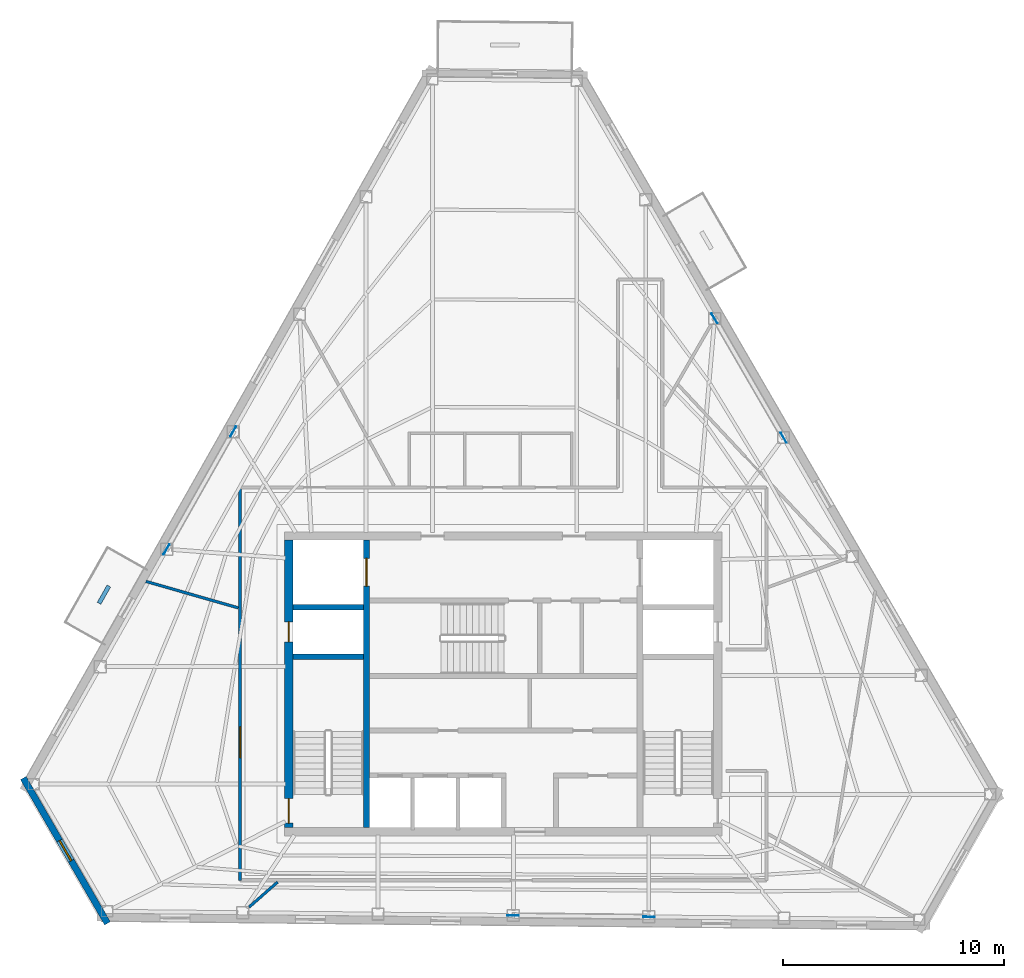
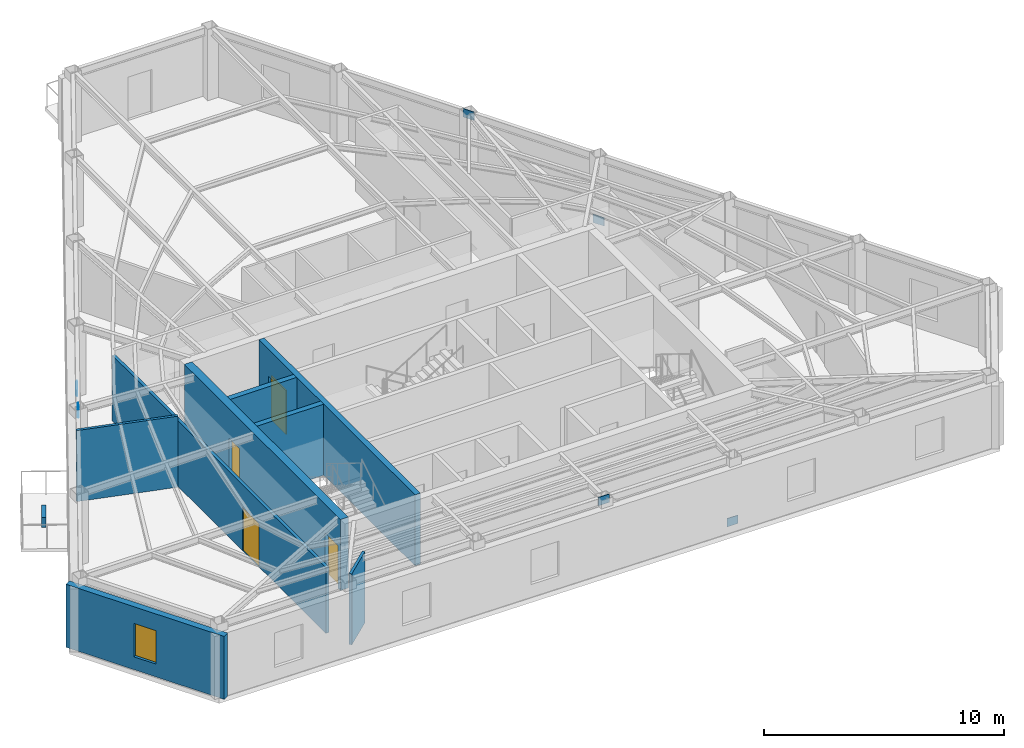
# One storey, part 4 of 10: 9 walls, 6 plates, 4 doors, 1 window, 5 openings.
"""IFC4 building model written with IfcOpenShell, lengths in metres."""

from ifc_helpers import new_model, si_unit, direction, frame, frame_2d, origin, origin_2d, place, context, subcontext, project, spatial, rectangle, extrude, material, layer, layer_set, type_object, element, fill, save


model = new_model("IFC4")

# Units and contexts
model_context = context("Model", 3, precision=1e-05, world=origin(), true_north=direction((0.0, 1.0)))
body_context = subcontext(model_context, "Body", "Model", "MODEL_VIEW")
ifc_project = project(units=[si_unit("LENGTHUNIT", "METRE"), si_unit("AREAUNIT", "SQUARE_METRE"), si_unit("VOLUMEUNIT", "CUBIC_METRE"), si_unit("PLANEANGLEUNIT", "RADIAN"), si_unit("MASSUNIT", "GRAM", prefix="KILO")], contexts=[model_context])

# Site, building, storey
site_placement = place(None, origin())
site = spatial("IfcSite", under=ifc_project, at=site_placement, CompositionType="ELEMENT")
building_placement = place(site_placement, origin())
building = spatial("IfcBuilding", under=site, at=building_placement, Name="Kavelnor Concourse Tower", CompositionType="ELEMENT")
storey_placement = place(building_placement, frame((0.0, 0.0, 247.199951171875)))
storey = spatial("IfcBuildingStorey", under=building, at=storey_placement, Name="L62", CompositionType="ELEMENT", Elevation=247.199951171875)

# Plates
ifc_material_1 = material(Name="Steel Grade 350", Category="steel")
ifc_layer_1 = layer(ifc_material_1, 0.031982421875, Name="Steel Grade 350")
ifc_layer_set_1 = layer_set([ifc_layer_1], Name="Steel Grade 350")
plate_type = type_object("IfcPlateType", Name="PL-GUSSET-TUBE-Z1", PredefinedType="USERDEFINED", material=ifc_layer_set_1)
for number, where, z_axis, x_axis, name in (
    (1, (25.779296875, 27.524658203125, 0.010009765625), (0.0, 0.0, 1.0), (-0.492271646879, -0.870441626808, 0.0), "L62 Tube Brace Gusset GP3 F0-B3 End Gusset A"),
    (2, (22.760009765625, 22.186279296875, 3.197021484375), (0.0, 0.0, 1.0), (-0.492271646879, -0.870441626808, 0.0), "L62 Tube Brace Gusset GP3 F0-B3 End Gusset B"),
    (3, (44.595947265625, 5.5537109375, 0.010009765625), (0.0, 0.0, 1.0), (-0.999946981807, 0.010297260602, 0.0), "L62 Tube Brace Gusset GP3 F1-B3 End Gusset A"),
    (4, (38.447021484375, 5.616943359375, 3.197021484375), (0.0, 0.0, 1.0), (-0.999946981807, 0.010297260602, 0.0), "L62 Tube Brace Gusset GP3 F1-B3 End Gusset B"),
    (5, (50.691650390625, 27.23876953125, 0.010009765625), (0.0, 0.0, 1.0), (-0.501208711795, 0.86532642813, 0.0), "L62 Tube Brace Gusset GP3 F2-B3 End Gusset A"),
    (6, (47.561279296875, 32.64306640625, 3.197021484375), (0.0, 0.0, 1.0), (-0.501208711795, 0.86532642813, 0.0), "L62 Tube Brace Gusset GP3 F2-B3 End Gusset B"),
):
    element("IfcPlate", number, at=place(storey_placement, frame(where, z_axis=z_axis, x_axis=x_axis)), inside=storey, type_object=plate_type, Name=name, ObjectType="GUSSET_PLATE", PredefinedType="USERDEFINED", context=body_context, shape_type="SweptSolid", body=[
        extrude(rectangle(XDim=0.52001953125, YDim=0.031982421875, at=origin_2d()), origin(), (0.0, 0.0, 1.0), 0.419921875),
    ])

# Wall, openings, doors
ifc_material_2 = material(Name="Concrete C50/60", Category="concrete")
ifc_layer_2 = layer(ifc_material_2, 0.3798828125, Name="Concrete C50/60")
ifc_layer_set_2 = layer_set([ifc_layer_2], Name="Concrete C50/60")
wall_type_1 = type_object("IfcWallType", Name="WL-CORE-Z4-380", PredefinedType="SOLIDWALL", material=ifc_layer_set_2)
wall_1_placement = place(storey_placement, frame((28.2900390625, 9.60009765625, 0.0), z_axis=(0.0, 0.0, 1.0), x_axis=(0.0, 1.0, 0.0)))
wall_1 = element("IfcWall", 7, at=wall_1_placement, inside=storey, type_object=wall_type_1, Name="L62 Central Core West Shear Wall", PredefinedType="SOLIDWALL", context=body_context, shape_type="SweptSolid", body=[
    extrude(rectangle(XDim=13.0, YDim=0.3798828125, at=frame_2d((6.5, 0.0))), origin(), (0.0, 0.0, 1.0), 3.610107421875),
])
opening_1_placement = place(wall_1_placement, frame((0.199951171875, 0.0, 0.0)))
opening_1 = element("IfcOpeningElement", 8, at=opening_1_placement, cuts=wall_1, Name="Opening FD-110", PredefinedType="OPENING", context=body_context, shape_type="SweptSolid", body=[
    extrude(rectangle(XDim=1.10009765625, YDim=2.14990234375, at=frame_2d((0.550048828125, 1.074951171875))), frame((0.0, 0.199951171875, 0.0), z_axis=(0.0, -1.0, 0.0), x_axis=(1.0, 0.0, 0.0)), (0.0, 0.0, 1.0), 0.39990234375),
])
opening_2_placement = place(wall_1_placement, frame((8.39990234375, 0.0, 0.0)))
opening_2 = element("IfcOpeningElement", 9, at=opening_2_placement, cuts=wall_1, Name="Opening FD-090", PredefinedType="OPENING", context=body_context, shape_type="SweptSolid", body=[
    extrude(rectangle(XDim=0.89990234375, YDim=2.10009765625, at=frame_2d((0.449951171875, 1.050048828125))), frame((0.0, 0.199951171875, 0.0), z_axis=(0.0, -1.0, 0.0), x_axis=(1.0, 0.0, 0.0)), (0.0, 0.0, 1.0), 0.39990234375),
])
door_type_1 = type_object("IfcDoorType", Name="DR-RISER-FIRE-900", OperationType="NOTDEFINED", PredefinedType="DOOR", material=ifc_material_1)
door_1_placement = place(opening_2_placement, origin())
door_1 = element("IfcDoor", 10, at=door_1_placement, inside=storey, type_object=door_type_1, Name="L62 West Riser Access Door", OperationType="SINGLE_SWING_RIGHT", OverallHeight=2.10009765625, OverallWidth=0.89990234375, PredefinedType="DOOR", context=body_context, shape_type="SweptSolid", body=[
    extrude(rectangle(XDim=0.89990234375, YDim=2.10009765625, at=frame_2d((0.449951171875, 1.050048828125))), frame((0.0, 0.02490234375, 0.0), z_axis=(0.0, -1.0, 0.0), x_axis=(1.0, 0.0, 0.0)), (0.0, 0.0, 1.0), 0.050048828125),
])
fill(opening_2, door_1)
door_type_2 = type_object("IfcDoorType", Name="DR-STAIR-FIRE-1100", OperationType="NOTDEFINED", PredefinedType="DOOR", material=ifc_material_1)
door_2_placement = place(opening_1_placement, origin())
door_2 = element("IfcDoor", 11, at=door_2_placement, inside=storey, type_object=door_type_2, Name="L62 Stair ST1 Fire Door", OperationType="SINGLE_SWING_LEFT", OverallHeight=2.14990234375, OverallWidth=1.10009765625, PredefinedType="DOOR", context=body_context, shape_type="SweptSolid", body=[
    extrude(rectangle(XDim=1.10009765625, YDim=2.14990234375, at=frame_2d((0.550048828125, 1.074951171875))), frame((0.0, 0.02490234375, 0.0), z_axis=(0.0, -1.0, 0.0), x_axis=(1.0, 0.0, 0.0)), (0.0, 0.0, 1.0), 0.050048828125),
])
fill(opening_1, door_2)

# Wall, opening, window
ifc_material_3 = material(Name="Buff ironspot clay face brick masonry", Category="masonry")
ifc_layer_3 = layer(ifc_material_3, 0.300048828125, Name="Buff ironspot clay face brick masonry")
ifc_layer_set_3 = layer_set([ifc_layer_3], Name="Buff ironspot clay face brick masonry")
wall_type_2 = type_object("IfcWallType", Name="WL-EXT-BUFF-BRICK-FOLD-300", PredefinedType="STANDARD", material=ifc_layer_set_3)
wall_2_placement = place(storey_placement, frame((20.08837890625, 5.26123046875, 0.0), z_axis=(0.0, 0.0, 1.0), x_axis=(-0.501243947879, 0.865306017958, 0.0)))
wall_2 = element("IfcWall", 12, at=wall_2_placement, inside=storey, type_object=wall_type_2, Name="L62 Exterior Brick Facade Wall E2", PredefinedType="STANDARD", context=body_context, shape_type="SweptSolid", body=[
    extrude(rectangle(XDim=7.599365234375, YDim=0.300048828125, at=frame_2d((3.7998046875, 0.0))), origin(), (0.0, 0.0, 1.0), 3.196044921875),
])
opening_3_placement = place(wall_2_placement, frame((3.274658203125, 0.0, 0.64990234375)))
opening_3 = element("IfcOpeningElement", 13, at=opening_3_placement, cuts=wall_2, Name="Opening W-06", PredefinedType="OPENING", context=body_context, shape_type="SweptSolid", body=[
    extrude(rectangle(XDim=1.050048828125, YDim=1.699951171875, at=frame_2d((0.52490234375, 0.85009765625))), frame((0.0, 0.16015625, 0.0), z_axis=(0.0, -1.0, 0.0), x_axis=(1.0, 0.0, 0.0)), (0.0, 0.0, 1.0), 0.320068359375),
])
ifc_material_4 = material(Name="Double low-E argon insulated glazing", Category="glass")
window_type = type_object("IfcWindowType", Name="WIN-FOLD-1050", PartitioningType="SINGLE_PANEL", PredefinedType="WINDOW", material=ifc_material_4)
window_placement = place(opening_3_placement, origin())
window = element("IfcWindow", 14, at=window_placement, inside=storey, type_object=window_type, Name="L62 Chamfer-Fold Facet Window C1", OverallHeight=1.699951171875, OverallWidth=1.050048828125, PartitioningType="SINGLE_PANEL", PredefinedType="WINDOW", context=body_context, shape_type="SweptSolid", body=[
    extrude(rectangle(XDim=1.050048828125, YDim=1.699951171875, at=frame_2d((0.52490234375, 0.85009765625))), frame((0.0, 0.030029296875, 0.0), z_axis=(0.0, -1.0, 0.0), x_axis=(1.0, 0.0, 0.0)), (0.0, 0.0, 1.0), 0.06005859375),
])
fill(opening_3, window)

# Wall, opening, door
ifc_material_5 = material(Name="Gypsum plasterboard on light-gauge steel studs", Category="steel")
ifc_layer_4 = layer(ifc_material_5, 0.14501953125, Name="Gypsum plasterboard on light-gauge steel studs")
ifc_layer_set_4 = layer_set([ifc_layer_4], Name="Gypsum plasterboard on light-gauge steel studs")
wall_type_3 = type_object("IfcWallType", Name="WL-INT-CORR-145", PredefinedType="PARTITIONING", material=ifc_layer_set_4)
wall_3_placement = place(storey_placement, frame((26.090087890625, 7.2099609375, 0.0), z_axis=(0.0, 0.0, 1.0), x_axis=(0.0, 1.0, 0.0)))
wall_3 = element("IfcWall", 15, at=wall_3_placement, inside=storey, type_object=wall_type_3, Name="L62 Corridor Wall WL-L62-CR-10", PredefinedType="PARTITIONING", context=body_context, shape_type="SweptSolid", body=[
    extrude(rectangle(XDim=17.780029296875, YDim=0.14501953125, at=frame_2d((8.89013671875, 0.0))), origin(), (0.0, 0.0, 1.0), 3.34912109375),
])
opening_4_placement = place(wall_3_placement, frame((5.548583984375, 0.0, 0.0)))
opening_4 = element("IfcOpeningElement", 16, at=opening_4_placement, cuts=wall_3, Name="Opening SD-140", PredefinedType="OPENING", context=body_context, shape_type="SweptSolid", body=[
    extrude(rectangle(XDim=1.39990234375, YDim=2.199951171875, at=frame_2d((0.699951171875, 1.10009765625))), frame((0.0, 0.08251953125, 0.0), z_axis=(0.0, -1.0, 0.0), x_axis=(1.0, 0.0, 0.0)), (0.0, 0.0, 1.0), 0.1650390625),
])
ifc_material_6 = material(Name="Solid-core hardwood timber", Category="wood")
door_type_3 = type_object("IfcDoorType", Name="DR-SUITE-ENTRY-1400", OperationType="NOTDEFINED", PredefinedType="DOOR", material=ifc_material_6)
door_3_placement = place(opening_4_placement, origin())
door_3 = element("IfcDoor", 17, at=door_3_placement, inside=storey, type_object=door_type_3, Name="L62 Architectural Design Studio 05 Door", OperationType="SINGLE_SWING_RIGHT", OverallHeight=2.199951171875, OverallWidth=1.39990234375, PredefinedType="DOOR", context=body_context, shape_type="SweptSolid", body=[
    extrude(rectangle(XDim=1.39990234375, YDim=2.199951171875, at=frame_2d((0.699951171875, 1.10009765625))), frame((0.0, 0.02490234375, 0.0), z_axis=(0.0, -1.0, 0.0), x_axis=(1.0, 0.0, 0.0)), (0.0, 0.0, 1.0), 0.050048828125),
])
fill(opening_4, door_3)

# Walls
ifc_layer_5 = layer(ifc_material_5, 0.125, Name="Gypsum plasterboard on light-gauge steel studs")
ifc_layer_set_5 = layer_set([ifc_layer_5], Name="Gypsum plasterboard on light-gauge steel studs")
wall_type_4 = type_object("IfcWallType", Name="WL-INT-SUITE-125", PredefinedType="PARTITIONING", material=ifc_layer_set_5)
wall_4_placement = place(storey_placement, frame((26.009521484375, 19.5380859375, 0.0), z_axis=(0.0, 0.0, 1.0), x_axis=(-0.961260714154, 0.275640779684, 0.0)))
element("IfcWall", 18, at=wall_4_placement, inside=storey, type_object=wall_type_4, Name="L62 Radial Suite Partition 04", PredefinedType="PARTITIONING", context=body_context, shape_type="SweptSolid", body=[
    extrude(rectangle(XDim=4.34716796875, YDim=0.125, at=frame_2d((2.173583984375, 0.0))), origin(), (0.0, 0.0, 1.0), 3.610107421875),
])
wall_5_placement = place(storey_placement, frame((27.787841796875, 7.12939453125, 0.0), z_axis=(0.0, 0.0, 1.0), x_axis=(-0.751333628503, -0.659922555063, 0.0)))
element("IfcWall", 19, at=wall_5_placement, inside=storey, type_object=wall_type_4, Name="L62 Radial Suite Partition 05", PredefinedType="PARTITIONING", context=body_context, shape_type="SweptSolid", body=[
    extrude(rectangle(XDim=1.71728515625, YDim=0.125, at=frame_2d((0.858642578125, 0.0))), origin(), (0.0, 0.0, 1.0), 3.610107421875),
])
ifc_material_7 = material(Name="Architectural precast planter concrete C40/50", Category="concrete")
ifc_layer_6 = layer(ifc_material_7, 0.18994140625, Name="Architectural precast planter concrete C40/50")
ifc_layer_set_6 = layer_set([ifc_layer_6], Name="Architectural precast planter concrete C40/50")
wall_type_5 = type_object("IfcWallType", Name="WL-PLANTER-KERB-190", PredefinedType="USERDEFINED", material=ifc_layer_set_6)
wall_6_placement = place(storey_placement, frame((20.150634765625, 20.528076171875, 0.0), z_axis=(0.0, 0.0, 1.0), x_axis=(-0.492423750739, -0.870355588083, 0.0)))
element("IfcWall", 20, at=wall_6_placement, inside=storey, type_object=wall_type_5, Name="L62 Tree Balcony 2 Tree Planter Kerb", ObjectType="PLANTER", PredefinedType="USERDEFINED", context=body_context, shape_type="SweptSolid", body=[
    extrude(rectangle(XDim=0.89990234375, YDim=0.18994140625, at=frame_2d((0.449951171875, 0.0))), origin(), (0.0, 0.0, 1.0), 0.5),
])

# Wall, opening, door
ifc_layer_7 = layer(ifc_material_2, 0.260009765625, Name="Concrete C50/60")
ifc_layer_set_7 = layer_set([ifc_layer_7], Name="Concrete C50/60")
wall_type_6 = type_object("IfcWallType", Name="WL-SHAFT-260", PredefinedType="SHEAR", material=ifc_layer_set_7)
wall_7_placement = place(storey_placement, frame((31.81005859375, 9.60009765625, 0.0), z_axis=(0.0, 0.0, 1.0), x_axis=(0.0, 1.0, 0.0)))
wall_7 = element("IfcWall", 21, at=wall_7_placement, inside=storey, type_object=wall_type_6, Name="L62 Core West Wing Shear Wall", PredefinedType="SHEAR", context=body_context, shape_type="SweptSolid", body=[
    extrude(rectangle(XDim=13.0, YDim=0.260009765625, at=frame_2d((6.5, 0.0))), origin(), (0.0, 0.0, 1.0), 3.610107421875),
])
opening_5_placement = place(wall_7_placement, frame((10.925048828125, 0.0, 0.0)))
opening_5 = element("IfcOpeningElement", 22, at=opening_5_placement, cuts=wall_7, Name="Opening LD-125", PredefinedType="OPENING", context=body_context, shape_type="SweptSolid", body=[
    extrude(rectangle(XDim=1.25, YDim=2.25, at=frame_2d((0.625, 1.125))), frame((0.0, 0.14013671875, 0.0), z_axis=(0.0, -1.0, 0.0), x_axis=(1.0, 0.0, 0.0)), (0.0, 0.0, 1.0), 0.280029296875),
])
door_type_4 = type_object("IfcDoorType", Name="DR-LIFT-SLIDING-1250", OperationType="NOTDEFINED", PredefinedType="DOOR", material=ifc_material_1)
door_4_placement = place(opening_5_placement, origin())
door_4 = element("IfcDoor", 23, at=door_4_placement, inside=storey, type_object=door_type_4, Name="L62 Emergency Lift FL1 Landing Door", OperationType="DOUBLE_DOOR_SLIDING", OverallHeight=2.25, OverallWidth=1.25, PredefinedType="DOOR", context=body_context, shape_type="SweptSolid", body=[
    extrude(rectangle(XDim=1.25, YDim=2.25, at=frame_2d((0.625, 1.125))), frame((0.0, 0.02490234375, 0.0), z_axis=(0.0, -1.0, 0.0), x_axis=(1.0, 0.0, 0.0)), (0.0, 0.0, 1.0), 0.050048828125),
])
fill(opening_5, door_4)

# Walls
for number, where, z_axis, x_axis, name in (
    (24, (28.47998046875, 17.330078125, 0.0), (0.0, 0.0, 1.0), (1.0, 0.0, 0.0), "L62 Stair ST1 North Shaft Wall"),
    (25, (28.47998046875, 19.570068359375, 0.0), (0.0, 0.0, 1.0), (1.0, 0.0, 0.0), "L62 Emergency Lift FL1 South Shaft Wall"),
):
    element("IfcWall", number, at=place(storey_placement, frame(where, z_axis=z_axis, x_axis=x_axis)), inside=storey, type_object=wall_type_6, Name=name, PredefinedType="SHEAR", context=body_context, shape_type="SweptSolid", body=[
        extrude(rectangle(XDim=3.199951171875, YDim=0.260009765625, at=frame_2d((1.60009765625, 0.0))), origin(), (0.0, 0.0, 1.0), 3.610107421875),
    ])

save(model, "model.ifc")
